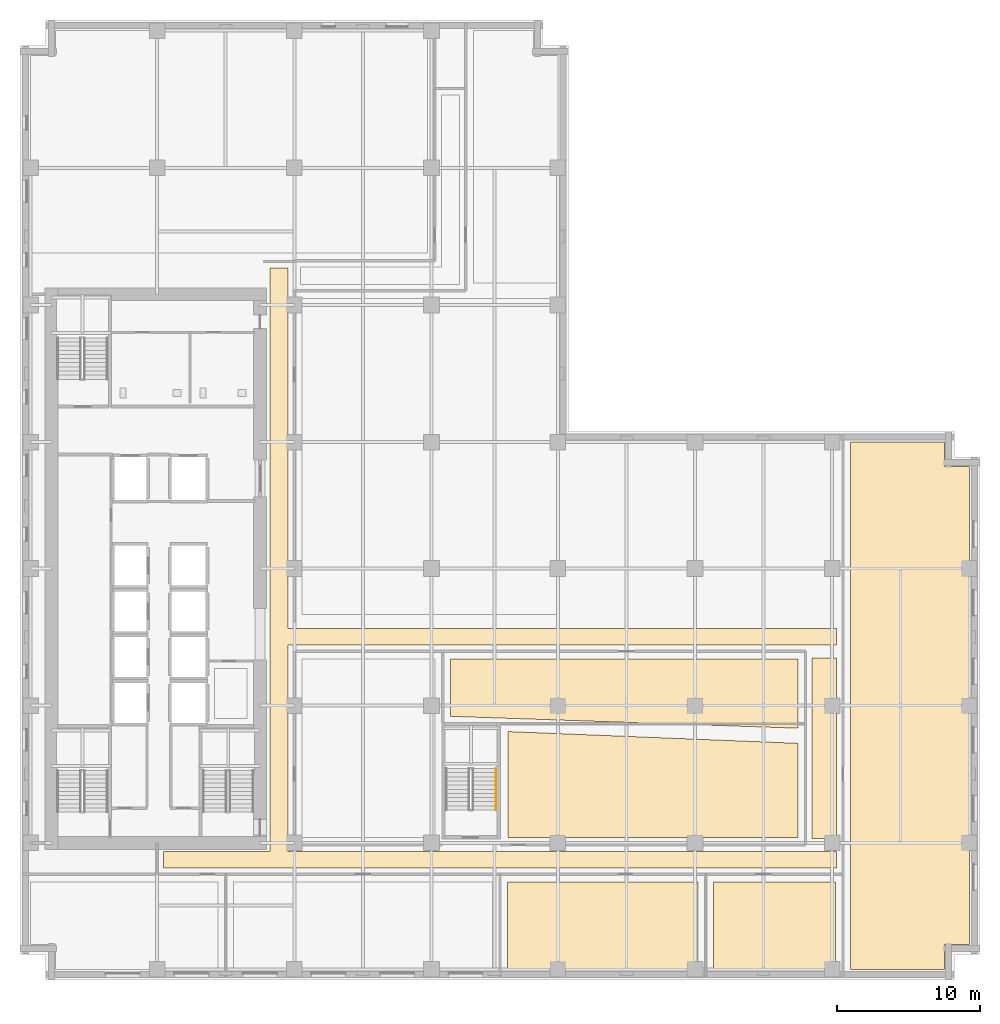
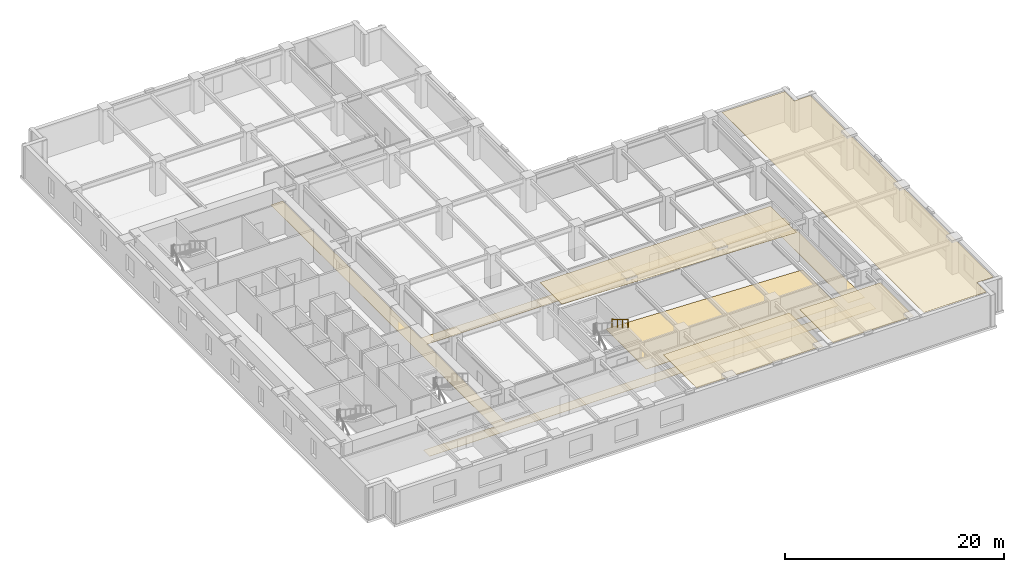
# One storey, part 10 of 13: 7 coverings, 1 railing.
"""IFC4 building model written with IfcOpenShell, lengths in metres."""

from ifc_helpers import new_model, si_unit, direction, frame, origin, origin_2d, place, context, subcontext, project, spatial, polyline, circle, outline, extrude, material, layer, layer_set, type_object, element, save


model = new_model("IFC4")

# Units and contexts
model_context = context("Model", 3, precision=1e-05, world=origin(), true_north=direction((0.0, 1.0)))
body_context = subcontext(model_context, "Body", "Model", "MODEL_VIEW")
ifc_project = project(units=[si_unit("LENGTHUNIT", "METRE"), si_unit("AREAUNIT", "SQUARE_METRE"), si_unit("VOLUMEUNIT", "CUBIC_METRE"), si_unit("PLANEANGLEUNIT", "RADIAN"), si_unit("MASSUNIT", "GRAM", prefix="KILO")], contexts=[model_context])

# Site, building, storey
site_placement = place(None, origin())
site = spatial("IfcSite", under=ifc_project, at=site_placement, CompositionType="ELEMENT")
building_placement = place(site_placement, origin())
building = spatial("IfcBuilding", under=site, at=building_placement, Name="Norrvale University Quadrangle", CompositionType="ELEMENT")
storey_placement = place(building_placement, frame((0.0, 0.0, 77.39990234375)))
storey = spatial("IfcBuildingStorey", under=building, at=storey_placement, Name="L19", CompositionType="ELEMENT", Elevation=77.39990234375)

# Coverings
ifc_material_1 = material(Name="Perforated Acoustic Mineral Ceiling")
ifc_layer_1 = layer(ifc_material_1, 0.02490234375, Name="Perforated Acoustic Mineral Ceiling")
ifc_layer_set_1 = layer_set([ifc_layer_1], Name="Perforated Acoustic Mineral Ceiling")
covering_type_1 = type_object("IfcCoveringType", Name="Covering Acoustic Ceiling 25", PredefinedType="CEILING", material=ifc_layer_set_1)
covering_1_placement = place(storey_placement, frame((0.0, 0.0, 3.51513671875)))
element("IfcCovering", 1, at=covering_1_placement, inside=storey, type_object=covering_type_1, Name="Acoustic Ceiling RM-L19-S03", PredefinedType="CEILING", context=body_context, shape_type="SweptSolid", body=[
    extrude(outline(polyline([(34.1298828125, 6.8701171875), (47.469970703125, 6.8701171875), (47.469970703125, 0.75), (34.1298828125, 0.75), (34.1298828125, 6.8701171875)])), origin(), (0.0, 0.0, 1.0), 0.02490234375),
])
covering_2_placement = place(storey_placement, frame((0.0, 0.0, 3.51513671875)))
element("IfcCovering", 2, at=covering_2_placement, inside=storey, type_object=covering_type_1, Name="Acoustic Ceiling RM-L19-S04", PredefinedType="CEILING", context=body_context, shape_type="SweptSolid", body=[
    extrude(outline(polyline([(48.530029296875, 6.8701171875), (57.070068359375, 6.8701171875), (57.070068359375, 0.75), (48.530029296875, 0.75), (48.530029296875, 6.8701171875)])), origin(), (0.0, 0.0, 1.0), 0.02490234375),
])
covering_3_placement = place(storey_placement, frame((0.0, 0.0, 3.51513671875)))
element("IfcCovering", 3, at=covering_3_placement, inside=storey, type_object=covering_type_1, Name="Acoustic Ceiling RM-L19-E01", PredefinedType="CEILING", context=body_context, shape_type="SweptSolid", body=[
    extrude(outline(polyline([(58.1298828125, 0.75), (58.1298828125, 37.64990234375), (64.72998046875, 37.64990234375), (64.72998046875, 35.929931640625), (66.449951171875, 35.929931640625), (66.449951171875, 2.469970703125), (64.72998046875, 2.469970703125), (64.72998046875, 0.75), (58.1298828125, 0.75)])), origin(), (0.0, 0.0, 1.0), 0.02490234375),
])
covering_4_placement = place(storey_placement, frame((0.0, 0.0, 3.51513671875)))
element("IfcCovering", 4, at=covering_4_placement, inside=storey, type_object=covering_type_1, Name="Acoustic Ceiling RM-L19-ILH", PredefinedType="CEILING", context=body_context, shape_type="SweptSolid", body=[
    extrude(outline(polyline([(30.1298828125, 18.455078125), (30.1298828125, 22.469970703125), (54.445068359375, 22.469970703125), (54.445068359375, 17.6259765625), (30.1298828125, 18.455078125)])), origin(), (0.0, 0.0, 1.0), 0.02490234375),
])
ifc_material_2 = material(Name="Polished Terrazzo Flooring")
ifc_layer_2 = layer(ifc_material_2, 0.02490234375, Name="Polished Terrazzo Flooring")
ifc_layer_set_2 = layer_set([ifc_layer_2], Name="Polished Terrazzo Flooring")
covering_type_2 = type_object("IfcCoveringType", Name="Covering Terrazzo Floor 30", PredefinedType="FLOORING", material=ifc_layer_set_2)
covering_5_placement = place(storey_placement, origin())
element("IfcCovering", 5, at=covering_5_placement, inside=storey, type_object=covering_type_2, Name="Terrazzo Flooring RM-L19-CORR1", PredefinedType="FLOORING", context=body_context, shape_type="SweptSolid", body=[
    extrude(outline(polyline([(10.050048828125, 7.85009765625), (10.050048828125, 9.0), (17.5, 9.0), (17.5, 49.85009765625), (18.75, 49.85009765625), (18.75, 24.60009765625), (57.14990234375, 24.60009765625), (57.14990234375, 23.449951171875), (18.75, 23.449951171875), (18.75, 9.0), (57.14990234375, 9.0), (57.14990234375, 7.85009765625), (10.050048828125, 7.85009765625)])), origin(), (0.0, 0.0, 1.0), 0.025146484375),
])
covering_6_placement = place(storey_placement, origin())
element("IfcCovering", 6, at=covering_6_placement, inside=storey, type_object=covering_type_2, Name="Terrazzo Flooring RM-L19-CORR2", PredefinedType="FLOORING", context=body_context, shape_type="SweptSolid", body=[
    extrude(outline(polyline([(55.425048828125, 9.89990234375), (55.425048828125, 22.550048828125), (57.14990234375, 22.550048828125), (57.14990234375, 9.89990234375), (55.425048828125, 9.89990234375)])), origin(), (0.0, 0.0, 1.0), 0.025146484375),
])
covering_7_placement = place(storey_placement, origin())
element("IfcCovering", 7, at=covering_7_placement, inside=storey, type_object=covering_type_2, Name="Terrazzo Flooring RM-L19-ISE", PredefinedType="FLOORING", context=body_context, shape_type="SweptSolid", body=[
    extrude(outline(polyline([(34.14990234375, 9.97998046875), (34.14990234375, 17.39111328125), (54.445068359375, 16.568115234375), (54.445068359375, 9.97998046875), (34.14990234375, 9.97998046875)])), origin(), (0.0, 0.0, 1.0), 0.025146484375),
])

# Railing
ifc_material_3 = material(Name="Stainless Steel 316L Handrail", Category="steel")
railing_type = type_object("IfcRailingType", Name="Railing Stair Handrail 920", PredefinedType="HANDRAIL", material=ifc_material_3)
railing_placement = place(storey_placement, frame((33.31005859375, 14.800048828125, 2.07275390625)))
element("IfcRailing", 8, at=railing_placement, inside=storey, type_object=railing_type, Name="Stair Upper Flight Handrail ST-04 L19", PredefinedType="HANDRAIL", context=body_context, shape_type="SweptSolid", body=[
    extrude(circle(Radius=0.02392578125, at=origin_2d()), frame((0.0, 0.0, 0.89599609375), z_axis=(0.0, -0.859160404282, 0.51170636083), x_axis=(1.0, 0.0, 0.0)), (0.0, 0.0, 1.0), 3.37548828125),
    extrude(circle(Radius=0.02099609375, at=origin_2d()), origin(), (0.0, 0.0, 1.0), 0.871826171875),
    extrude(circle(Radius=0.02099609375, at=origin_2d()), frame((0.0, -0.966796875, 0.57568359375)), (0.0, 0.0, 1.0), 0.871826171875),
    extrude(circle(Radius=0.02099609375, at=origin_2d()), frame((0.0, -1.933349609375, 1.151611328125)), (0.0, 0.0, 1.0), 0.871826171875),
    extrude(circle(Radius=0.02099609375, at=origin_2d()), frame((0.0, -2.900146484375, 1.727294921875)), (0.0, 0.0, 1.0), 0.871826171875),
])

save(model, "model.ifc")
